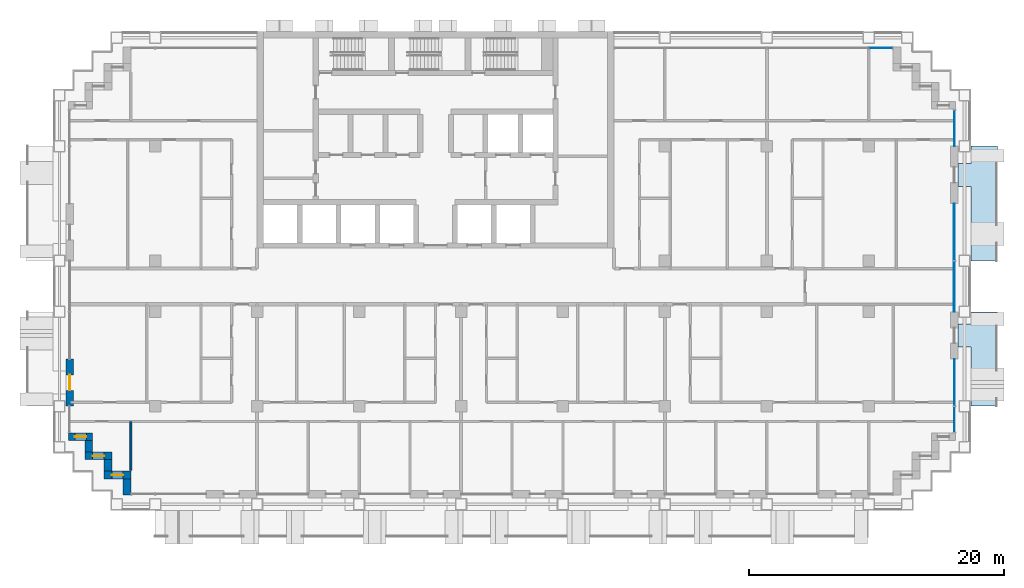
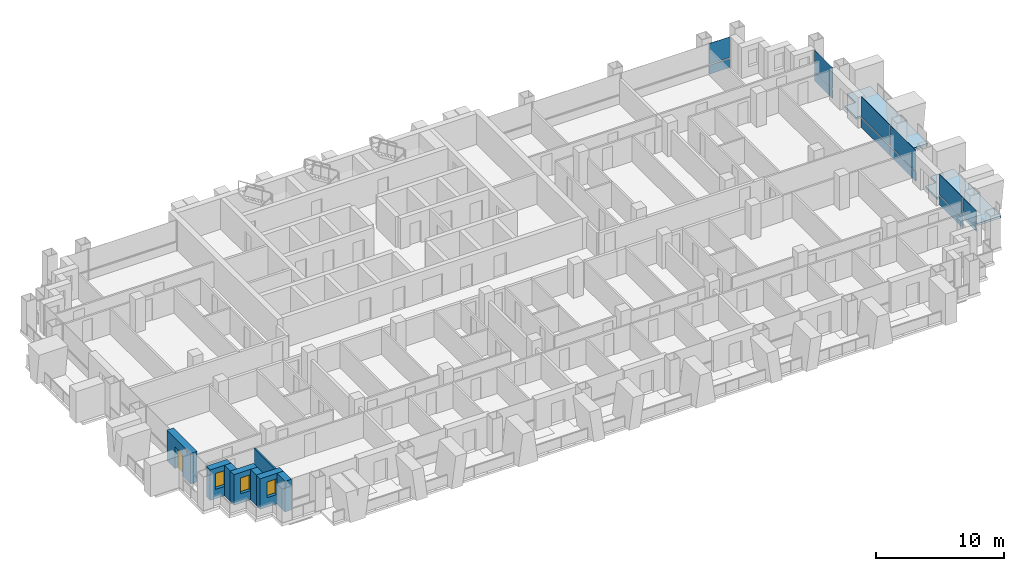
# One storey, part 8 of 18: 11 plates, 8 walls, 3 windows, 2 slabs, 1 door, 4 openings, 4 elements without a shape of their own.
"""IFC4 building model written with IfcOpenShell, lengths in metres."""

from ifc_helpers import new_model, si_unit, direction, frame, frame_2d, origin, origin_2d, place, context, subcontext, project, spatial, polyline, rectangle, outline, extrude, material, layer, layer_set, type_object, element, fill, aggregate, save


model = new_model("IFC4")

# Units and contexts
model_context = context("Model", 3, precision=1e-05, world=origin(), true_north=direction((0.0, 1.0)))
body_context = subcontext(model_context, "Body", "Model", "MODEL_VIEW")
ifc_project = project(units=[si_unit("LENGTHUNIT", "METRE"), si_unit("AREAUNIT", "SQUARE_METRE"), si_unit("VOLUMEUNIT", "CUBIC_METRE"), si_unit("PLANEANGLEUNIT", "RADIAN"), si_unit("MASSUNIT", "GRAM", prefix="KILO")], contexts=[model_context])

# Site, building, storey
site_placement = place(None, origin())
site = spatial("IfcSite", under=ifc_project, at=site_placement, CompositionType="ELEMENT")
building_placement = place(site_placement, origin())
building = spatial("IfcBuilding", under=site, at=building_placement, Name="Vidyagriha Tower", CompositionType="ELEMENT")
storey_placement = place(building_placement, frame((0.0, 0.0, 90.300048828125)))
storey = spatial("IfcBuildingStorey", under=building, at=storey_placement, Name="L23", CompositionType="ELEMENT", Elevation=90.300048828125)

# Curtain wall, plate
ifc_material_1 = material(Name="Aluminium and glass curtain wall", Category="aluminium")
curtain_wall_type = type_object("IfcCurtainWallType", Name="Dwelling skin unitised curtain wall", PredefinedType="USERDEFINED", material=ifc_material_1)
curtain_wall_1_placement = place(storey_placement, origin())
curtain_wall_1 = element("IfcCurtainWall", 1, at=curtain_wall_1_placement, inside=storey, type_object=curtain_wall_type, Name="CW1 dwelling skin", ObjectType="UNITISED", PredefinedType="USERDEFINED")
ifc_material_2 = material(Name="Glass dark ceramic-fritted spandrel", Category="glass")
ifc_layer_1 = layer(ifc_material_2, 0.0400390625)
ifc_layer_set_1 = layer_set([ifc_layer_1], Name="Glass dark ceramic-fritted spandrel")
plate_type_1 = type_object("IfcPlateType", Name="Ceramic-fritted spandrel panel", PredefinedType="CURTAIN_PANEL", material=ifc_layer_set_1)
plate_1_placement = place(storey_placement, frame((34.9326171875, 18.699951171875, 0.0), z_axis=(0.0, 0.0, 1.0), x_axis=(-1.0, 0.0, 0.0)))
plate_1 = element("IfcPlate", 2, at=plate_1_placement, type_object=plate_type_1, Name="CW1 panel 1.1", PredefinedType="CURTAIN_PANEL", context=body_context, shape_type="SweptSolid", body=[
    extrude(rectangle(XDim=1.794921875, YDim=0.0400390625, at=origin_2d()), origin(), (0.0, 0.0, 1.0), 0.85009765625),
])

curtain_wall_2_placement = place(storey_placement, origin())
curtain_wall_2 = element("IfcCurtainWall", 3, at=curtain_wall_2_placement, inside=storey, type_object=curtain_wall_type, Name="CW1 dwelling skin", ObjectType="UNITISED", PredefinedType="USERDEFINED")
plate_2_placement = place(storey_placement, frame((40.699951171875, -7.532470703125, 0.0), z_axis=(0.0, 0.0, 1.0), x_axis=(0.0, 1.0, 0.0)))
plate_2 = element("IfcPlate", 4, at=plate_2_placement, type_object=plate_type_1, Name="CW1 panel 2.1", PredefinedType="CURTAIN_PANEL", context=body_context, shape_type="SweptSolid", body=[
    extrude(rectangle(XDim=3.6650390625, YDim=0.0400390625, at=origin_2d()), origin(), (0.0, 0.0, 1.0), 0.85009765625),
])

curtain_wall_3_placement = place(storey_placement, origin())
curtain_wall_3 = element("IfcCurtainWall", 5, at=curtain_wall_3_placement, inside=storey, type_object=curtain_wall_type, Name="CW1 dwelling skin", ObjectType="UNITISED", PredefinedType="USERDEFINED")
plate_3_placement = place(storey_placement, frame((40.699951171875, 12.4150390625, 0.0), z_axis=(0.0, 0.0, 1.0), x_axis=(0.0, 1.0, 0.0)))
plate_3 = element("IfcPlate", 6, at=plate_3_placement, type_object=plate_type_1, Name="CW1 panel 1.1", PredefinedType="CURTAIN_PANEL", context=body_context, shape_type="SweptSolid", body=[
    extrude(rectangle(XDim=2.830078125, YDim=0.0400390625, at=origin_2d()), origin(), (0.0, 0.0, 1.0), 0.85009765625),
])

# Plate
ifc_material_3 = material(Name="Glass dark ceramic-fritted", Category="glass")
ifc_layer_2 = layer(ifc_material_3, 0.028076171875)
ifc_layer_set_2 = layer_set([ifc_layer_2], Name="Glass dark ceramic-fritted")
plate_type_2 = type_object("IfcPlateType", Name="Dark ceramic-fritted vision glass panel", PredefinedType="CURTAIN_PANEL", material=ifc_layer_set_2)
plate_4_placement = place(storey_placement, frame((34.9326171875, 18.699951171875, 0.9501953125), z_axis=(0.0, 0.0, 1.0), x_axis=(-1.0, 0.0, 0.0)))
plate_4 = element("IfcPlate", 7, at=plate_4_placement, type_object=plate_type_2, Name="CW1 panel 1.2", PredefinedType="CURTAIN_PANEL", context=body_context, shape_type="SweptSolid", body=[
    extrude(rectangle(XDim=1.794921875, YDim=0.028076171875, at=origin_2d()), origin(), (0.0, 0.0, 1.0), 1.969970703125),
])

aggregate(curtain_wall_1, [plate_1, plate_4])

plate_5_placement = place(storey_placement, frame((40.699951171875, -10.4326171875, 0.9501953125), z_axis=(0.0, 0.0, 1.0), x_axis=(0.0, 1.0, 0.0)))
plate_5 = element("IfcPlate", 8, at=plate_5_placement, type_object=plate_type_2, Name="CW1 panel 1.2", PredefinedType="CURTAIN_PANEL", context=body_context, shape_type="SweptSolid", body=[
    extrude(rectangle(XDim=1.9951171875, YDim=0.028076171875, at=origin_2d()), origin(), (0.0, 0.0, 1.0), 1.969970703125),
])

plate_6_placement = place(storey_placement, frame((40.699951171875, -7.532470703125, 0.9501953125), z_axis=(0.0, 0.0, 1.0), x_axis=(0.0, 1.0, 0.0)))
plate_6 = element("IfcPlate", 9, at=plate_6_placement, type_object=plate_type_2, Name="CW1 panel 2.2", PredefinedType="CURTAIN_PANEL", context=body_context, shape_type="SweptSolid", body=[
    extrude(rectangle(XDim=3.6650390625, YDim=0.028076171875, at=origin_2d()), origin(), (0.0, 0.0, 1.0), 1.969970703125),
])

aggregate(curtain_wall_2, [plate_5, plate_2, plate_6])

# Curtain wall, plates
curtain_wall_4_placement = place(storey_placement, origin())
curtain_wall_4 = element("IfcCurtainWall", 10, at=curtain_wall_4_placement, inside=storey, type_object=curtain_wall_type, Name="CW1 dwelling skin", ObjectType="UNITISED", PredefinedType="USERDEFINED")
plate_7_placement = place(storey_placement, frame((40.699951171875, -0.017578125, 0.9501953125), z_axis=(0.0, 0.0, 1.0), x_axis=(0.0, 1.0, 0.0)))
plate_7 = element("IfcPlate", 11, at=plate_7_placement, type_object=plate_type_2, Name="CW1 panel 1.2", PredefinedType="CURTAIN_PANEL", context=body_context, shape_type="SweptSolid", body=[
    extrude(rectangle(XDim=3.965087890625, YDim=0.028076171875, at=origin_2d()), origin(), (0.0, 0.0, 1.0), 1.969970703125),
])
plate_8_placement = place(storey_placement, frame((40.699951171875, 4.267578125, 0.9501953125), z_axis=(0.0, 0.0, 1.0), x_axis=(0.0, 1.0, 0.0)))
plate_8 = element("IfcPlate", 12, at=plate_8_placement, type_object=plate_type_2, Name="CW1 panel 2.2", PredefinedType="CURTAIN_PANEL", context=body_context, shape_type="SweptSolid", body=[
    extrude(rectangle(XDim=4.465087890625, YDim=0.028076171875, at=origin_2d()), origin(), (0.0, 0.0, 1.0), 1.969970703125),
])

# Plate
plate_9_placement = place(storey_placement, frame((40.699951171875, 12.4150390625, 0.9501953125), z_axis=(0.0, 0.0, 1.0), x_axis=(0.0, 1.0, 0.0)))
plate_9 = element("IfcPlate", 13, at=plate_9_placement, type_object=plate_type_2, Name="CW1 panel 1.2", PredefinedType="CURTAIN_PANEL", context=body_context, shape_type="SweptSolid", body=[
    extrude(rectangle(XDim=2.830078125, YDim=0.028076171875, at=origin_2d()), origin(), (0.0, 0.0, 1.0), 1.969970703125),
])

aggregate(curtain_wall_3, [plate_3, plate_9])

ifc_material_4 = material(Name="Aluminium black anodised", Category="aluminium")
ifc_layer_3 = layer(ifc_material_4, 0.06005859375)
ifc_layer_set_3 = layer_set([ifc_layer_3], Name="Aluminium black anodised")
plate_type_3 = type_object("IfcPlateType", Name="Operable black-metal vent panel", PredefinedType="CURTAIN_PANEL", material=ifc_layer_set_3)
plate_10_placement = place(storey_placement, frame((40.699951171875, -0.017578125, 0.0), z_axis=(0.0, 0.0, 1.0), x_axis=(0.0, 1.0, 0.0)))
plate_10 = element("IfcPlate", 14, at=plate_10_placement, type_object=plate_type_3, Name="CW1 panel 1.1", PredefinedType="CURTAIN_PANEL", context=body_context, shape_type="SweptSolid", body=[
    extrude(rectangle(XDim=3.965087890625, YDim=0.06005859375, at=origin_2d()), origin(), (0.0, 0.0, 1.0), 0.85009765625),
])

plate_11_placement = place(storey_placement, frame((40.699951171875, 4.267578125, 0.0), z_axis=(0.0, 0.0, 1.0), x_axis=(0.0, 1.0, 0.0)))
plate_11 = element("IfcPlate", 15, at=plate_11_placement, type_object=plate_type_3, Name="CW1 panel 2.1", PredefinedType="CURTAIN_PANEL", context=body_context, shape_type="SweptSolid", body=[
    extrude(rectangle(XDim=4.465087890625, YDim=0.06005859375, at=origin_2d()), origin(), (0.0, 0.0, 1.0), 0.85009765625),
])

aggregate(curtain_wall_4, [plate_10, plate_7, plate_11, plate_8])

# Slabs
ifc_material_5 = material(Name="Precast concrete C40/50", Category="concrete")
ifc_layer_4 = layer(ifc_material_5, 0.199951171875)
ifc_layer_set_4 = layer_set([ifc_layer_4], Name="Precast concrete C40/50")
slab_type = type_object("IfcSlabType", Name="Precast balcony slab 200", PredefinedType="USERDEFINED", material=ifc_layer_set_4)
slab_1_placement = place(storey_placement, frame((0.0, 0.0, -0.199951171875)))
element("IfcSlab", 16, at=slab_1_placement, inside=storey, type_object=slab_type, Name="Balcony slab L23 R30.1-1", ObjectType="BALCONY", PredefinedType="USERDEFINED", context=body_context, shape_type="SweptSolid", body=[
    extrude(outline(polyline([(42.0, -4.75), (42.0, -9.39990234375), (44.10009765625, -9.39990234375), (44.10009765625, -2.0), (42.0, -2.0), (42.0, -2.949951171875), (41.0, -2.949951171875), (41.0, -4.75), (42.0, -4.75)])), origin(), (0.0, 0.0, 1.0), 0.199951171875),
])
slab_2_placement = place(storey_placement, frame((0.0, 0.0, -0.199951171875)))
element("IfcSlab", 17, at=slab_2_placement, inside=storey, type_object=slab_type, Name="Balcony slab L23 R30.2-2", ObjectType="BALCONY", PredefinedType="USERDEFINED", context=body_context, shape_type="SweptSolid", body=[
    extrude(outline(polyline([(42.0, 7.85009765625), (42.0, 2.0), (44.10009765625, 2.0), (44.10009765625, 11.0), (42.0, 11.0), (42.0, 9.64990234375), (41.0, 9.64990234375), (41.0, 7.85009765625), (42.0, 7.85009765625)])), origin(), (0.0, 0.0, 1.0), 0.199951171875),
])

# Wall, opening, door
ifc_material_6 = material(Name="Precast concrete C40/50 with brick facing", Category="concrete")
ifc_layer_5 = layer(ifc_material_6, 0.60009765625)
ifc_layer_set_5 = layer_set([ifc_layer_5], Name="Precast concrete C40/50 with brick facing")
wall_type_1 = type_object("IfcWallType", Name="Brick-faced precast wall 600", PredefinedType="STANDARD", material=ifc_layer_set_5)
wall_1_placement = place(storey_placement, frame((-28.699951171875, -5.699951171875, 0.0), z_axis=(0.0, 0.0, 1.0), x_axis=(0.0, -1.0, 0.0)))
wall_1 = element("IfcWall", 18, at=wall_1_placement, inside=storey, type_object=wall_type_1, Name="Brick door bay wall L23 R16.6", PredefinedType="STANDARD", context=body_context, shape_type="SweptSolid", body=[
    extrude(rectangle(XDim=3.699951171875, YDim=0.60009765625, at=frame_2d((1.85009765625, 0.0))), origin(), (0.0, 0.0, 1.0), 2.919921875),
])
opening_1_placement = place(wall_1_placement, frame((1.25, 0.0, 0.0)))
opening_1 = element("IfcOpeningElement", 19, at=opening_1_placement, cuts=wall_1, Name="Opening D23-76", PredefinedType="OPENING", context=body_context, shape_type="SweptSolid", body=[
    extrude(rectangle(XDim=1.199951171875, YDim=2.10009765625, at=frame_2d((0.60009765625, 1.050048828125))), frame((0.0, 0.31005859375, 0.0), z_axis=(0.0, -1.0, 0.0), x_axis=(1.0, 0.0, 0.0)), (0.0, 0.0, 1.0), 0.6201171875),
])
ifc_material_7 = material(Name="Aluminium framed glazed sliding door", Category="aluminium")
door_type = type_object("IfcDoorType", Name="Balcony sliding door 1200x2100", OperationType="NOTDEFINED", PredefinedType="DOOR", material=ifc_material_7)
door_placement = place(opening_1_placement, origin())
door = element("IfcDoor", 20, at=door_placement, inside=storey, type_object=door_type, Name="Door D23-76", OperationType="SLIDING_TO_LEFT", OverallHeight=2.10009765625, OverallWidth=1.199951171875, PredefinedType="DOOR", context=body_context, shape_type="SweptSolid", body=[
    extrude(rectangle(XDim=1.199951171875, YDim=2.10009765625, at=frame_2d((0.60009765625, 1.050048828125))), frame((0.0, 0.02490234375, 0.0), z_axis=(0.0, -1.0, 0.0), x_axis=(1.0, 0.0, 0.0)), (0.0, 0.0, 1.0), 0.050048828125),
])
fill(opening_1, door)

# Wall, opening, window
wall_2_placement = place(storey_placement, frame((-28.780029296875, -11.800048828125, 0.0)))
wall_2 = element("IfcWall", 21, at=wall_2_placement, inside=storey, type_object=wall_type_1, Name="Stepped corner wall L23 R17", PredefinedType="STANDARD", context=body_context, shape_type="SweptSolid", body=[
    extrude(rectangle(XDim=1.880126953125, YDim=0.60009765625, at=frame_2d((0.93994140625, 0.0))), origin(), (0.0, 0.0, 1.0), 2.919921875),
])
opening_2_placement = place(wall_2_placement, frame((0.489990234375, 0.0, 0.89990234375)))
opening_2 = element("IfcOpeningElement", 22, at=opening_2_placement, cuts=wall_2, Name="Opening WN1", PredefinedType="OPENING", context=body_context, shape_type="SweptSolid", body=[
    extrude(rectangle(XDim=0.89990234375, YDim=1.5, at=frame_2d((0.449951171875, 0.75))), frame((0.0, 0.31005859375, 0.0), z_axis=(0.0, -1.0, 0.0), x_axis=(1.0, 0.0, 0.0)), (0.0, 0.0, 1.0), 0.6201171875),
])
ifc_material_8 = material(Name="Aluminium and glass window", Category="aluminium")
window_type = type_object("IfcWindowType", Name="Reveal window 900x1500", PartitioningType="NOTDEFINED", PredefinedType="WINDOW", material=ifc_material_8)
window_1_placement = place(opening_2_placement, origin())
window_1 = element("IfcWindow", 23, at=window_1_placement, inside=storey, type_object=window_type, Name="Reveal window L23 R17", OverallHeight=1.5, OverallWidth=0.89990234375, PartitioningType="SINGLE_PANEL", PredefinedType="WINDOW", context=body_context, shape_type="SweptSolid", body=[
    extrude(rectangle(XDim=0.89990234375, YDim=1.5, at=frame_2d((0.449951171875, 0.75))), frame((0.0, 0.030029296875, 0.0), z_axis=(0.0, -1.0, 0.0), x_axis=(1.0, 0.0, 0.0)), (0.0, 0.0, 1.0), 0.06005859375),
])
fill(opening_2, window_1)

# Wall
wall_3_placement = place(storey_placement, frame((-27.199951171875, -12.10009765625, 0.0), z_axis=(0.0, 0.0, 1.0), x_axis=(0.0, -1.0, 0.0)))
element("IfcWall", 24, at=wall_3_placement, inside=storey, type_object=wall_type_1, Name="Stepped corner wall L23 R18", PredefinedType="STANDARD", context=body_context, shape_type="SweptSolid", body=[
    extrude(rectangle(XDim=0.89990234375, YDim=0.60009765625, at=frame_2d((0.449951171875, 0.0))), origin(), (0.0, 0.0, 1.0), 2.919921875),
])

# Wall, opening, window
wall_4_placement = place(storey_placement, frame((-27.5, -13.300048828125, 0.0)))
wall_4 = element("IfcWall", 25, at=wall_4_placement, inside=storey, type_object=wall_type_1, Name="Stepped corner wall L23 R19", PredefinedType="STANDARD", context=body_context, shape_type="SweptSolid", body=[
    extrude(rectangle(XDim=2.10009765625, YDim=0.60009765625, at=frame_2d((1.050048828125, 0.0))), origin(), (0.0, 0.0, 1.0), 2.919921875),
])
opening_3_placement = place(wall_4_placement, frame((0.60009765625, 0.0, 0.89990234375)))
opening_3 = element("IfcOpeningElement", 26, at=opening_3_placement, cuts=wall_4, Name="Opening WN1", PredefinedType="OPENING", context=body_context, shape_type="SweptSolid", body=[
    extrude(rectangle(XDim=0.89990234375, YDim=1.5, at=frame_2d((0.449951171875, 0.75))), frame((0.0, 0.31005859375, 0.0), z_axis=(0.0, -1.0, 0.0), x_axis=(1.0, 0.0, 0.0)), (0.0, 0.0, 1.0), 0.6201171875),
])
window_2_placement = place(opening_3_placement, origin())
window_2 = element("IfcWindow", 27, at=window_2_placement, inside=storey, type_object=window_type, Name="Reveal window L23 R19", OverallHeight=1.5, OverallWidth=0.89990234375, PartitioningType="SINGLE_PANEL", PredefinedType="WINDOW", context=body_context, shape_type="SweptSolid", body=[
    extrude(rectangle(XDim=0.89990234375, YDim=1.5, at=frame_2d((0.449951171875, 0.75))), frame((0.0, 0.030029296875, 0.0), z_axis=(0.0, -1.0, 0.0), x_axis=(1.0, 0.0, 0.0)), (0.0, 0.0, 1.0), 0.06005859375),
])
fill(opening_3, window_2)

# Wall
wall_5_placement = place(storey_placement, frame((-25.699951171875, -13.60009765625, 0.0), z_axis=(0.0, 0.0, 1.0), x_axis=(0.0, -1.0, 0.0)))
element("IfcWall", 28, at=wall_5_placement, inside=storey, type_object=wall_type_1, Name="Stepped corner wall L23 R20", PredefinedType="STANDARD", context=body_context, shape_type="SweptSolid", body=[
    extrude(rectangle(XDim=0.89990234375, YDim=0.60009765625, at=frame_2d((0.449951171875, 0.0))), origin(), (0.0, 0.0, 1.0), 2.919921875),
])

# Wall, opening, window
wall_6_placement = place(storey_placement, frame((-26.0, -14.800048828125, 0.0)))
wall_6 = element("IfcWall", 29, at=wall_6_placement, inside=storey, type_object=wall_type_1, Name="Stepped corner wall L23 R21", PredefinedType="STANDARD", context=body_context, shape_type="SweptSolid", body=[
    extrude(rectangle(XDim=2.10009765625, YDim=0.60009765625, at=frame_2d((1.050048828125, 0.0))), origin(), (0.0, 0.0, 1.0), 2.919921875),
])
opening_4_placement = place(wall_6_placement, frame((0.60009765625, 0.0, 0.89990234375)))
opening_4 = element("IfcOpeningElement", 30, at=opening_4_placement, cuts=wall_6, Name="Opening WN1", PredefinedType="OPENING", context=body_context, shape_type="SweptSolid", body=[
    extrude(rectangle(XDim=0.89990234375, YDim=1.5, at=frame_2d((0.449951171875, 0.75))), frame((0.0, 0.31005859375, 0.0), z_axis=(0.0, -1.0, 0.0), x_axis=(1.0, 0.0, 0.0)), (0.0, 0.0, 1.0), 0.6201171875),
])
window_3_placement = place(opening_4_placement, origin())
window_3 = element("IfcWindow", 31, at=window_3_placement, inside=storey, type_object=window_type, Name="Reveal window L23 R21", OverallHeight=1.5, OverallWidth=0.89990234375, PartitioningType="SINGLE_PANEL", PredefinedType="WINDOW", context=body_context, shape_type="SweptSolid", body=[
    extrude(rectangle(XDim=0.89990234375, YDim=1.5, at=frame_2d((0.449951171875, 0.75))), frame((0.0, 0.030029296875, 0.0), z_axis=(0.0, -1.0, 0.0), x_axis=(1.0, 0.0, 0.0)), (0.0, 0.0, 1.0), 0.06005859375),
])
fill(opening_4, window_3)

# Walls
wall_7_placement = place(storey_placement, frame((-24.199951171875, -15.10009765625, 0.0), z_axis=(0.0, 0.0, 1.0), x_axis=(0.0, -1.0, 0.0)))
element("IfcWall", 32, at=wall_7_placement, inside=storey, type_object=wall_type_1, Name="Stepped corner wall L23 R22", PredefinedType="STANDARD", context=body_context, shape_type="SweptSolid", body=[
    extrude(rectangle(XDim=1.27978515625, YDim=0.60009765625, at=frame_2d((0.639892578125, 0.0))), origin(), (0.0, 0.0, 1.0), 2.919921875),
])
ifc_material_9 = material(Name="Gypsum board partition")
ifc_layer_6 = layer(ifc_material_9, 0.14990234375)
ifc_layer_set_6 = layer_set([ifc_layer_6], Name="Gypsum board partition")
wall_type_2 = type_object("IfcWallType", Name="Gypsum board partition 150", PredefinedType="PARTITIONING", material=ifc_layer_set_6)
wall_8_placement = place(storey_placement, frame((-23.89990234375, -10.60009765625, 0.0), z_axis=(0.0, 0.0, 1.0), x_axis=(0.0, -1.0, 0.0)))
element("IfcWall", 33, at=wall_8_placement, inside=storey, type_object=wall_type_2, Name="Wall all-L23-w013", PredefinedType="PARTITIONING", context=body_context, shape_type="SweptSolid", body=[
    extrude(rectangle(XDim=3.81982421875, YDim=0.14990234375, at=frame_2d((1.909912109375, 0.0))), origin(), (0.0, 0.0, 1.0), 2.39990234375),
])

save(model, "model.ifc")
